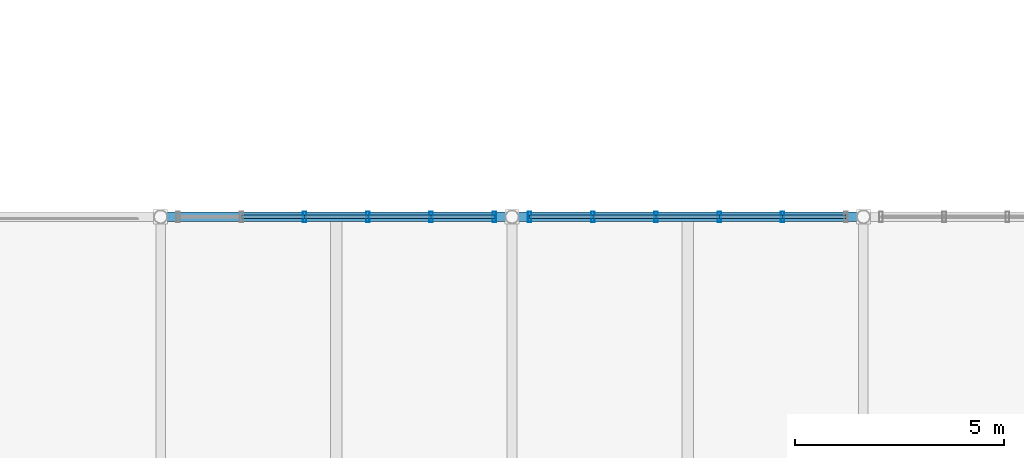
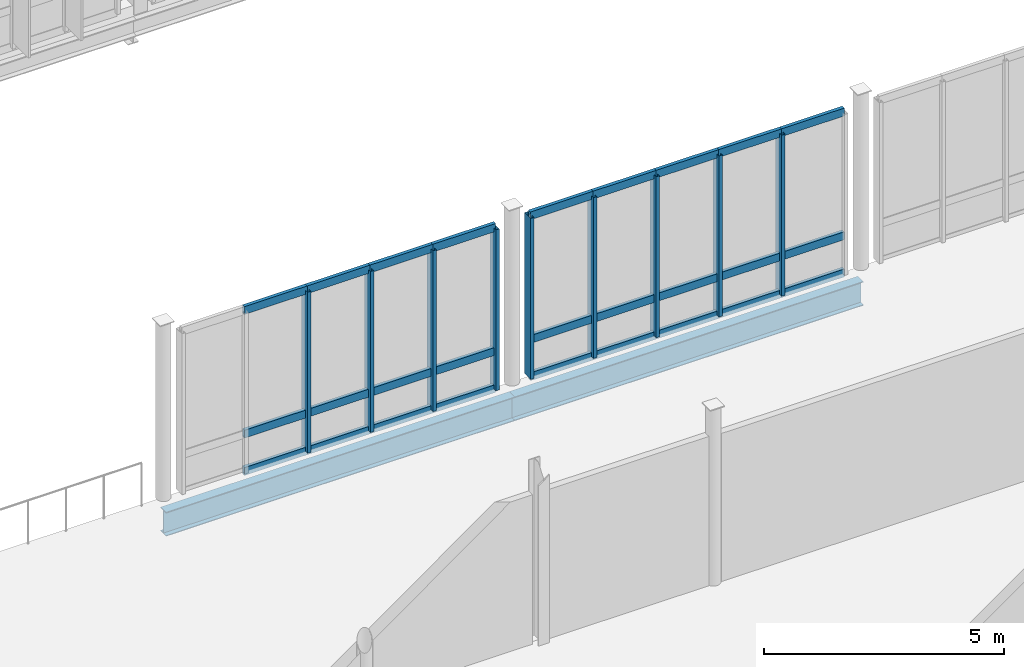
# One storey, part 37 of 139: 36 members, 2 beams, 2 elements without a shape of their own.
"""IFC4 building model written with IfcOpenShell, lengths in metres."""

from ifc_helpers import new_model, si_unit, derived_unit, direction, frame, origin, origin_2d, place, context, subcontext, project, spatial, hollow_rectangle, i_section, extrude, material, layer, layer_set, material_profile, profile_set, type_object, element, aggregate, save


model = new_model("IFC4")

# Units and contexts
model_context = context("Model", 3, precision=1e-05, world=origin(), true_north=direction((0.0, 1.0)))
body_context = subcontext(model_context, "Body", "Model", "MODEL_VIEW")
ifc_project = project(units=[si_unit("LENGTHUNIT", "METRE"), si_unit("AREAUNIT", "SQUARE_METRE"), si_unit("VOLUMEUNIT", "CUBIC_METRE"), si_unit("PLANEANGLEUNIT", "RADIAN"), si_unit("MASSUNIT", "GRAM", prefix="KILO"), derived_unit("THERMALTRANSMITTANCEUNIT", [(si_unit("MASSUNIT", "GRAM", prefix="KILO"), 1), (si_unit("TIMEUNIT", "SECOND"), -3), (si_unit("THERMODYNAMICTEMPERATUREUNIT", "KELVIN"), -1)])], contexts=[model_context])

# Site, building, storey
site_placement = place(None, origin())
site = spatial("IfcSite", under=ifc_project, at=site_placement, CompositionType="ELEMENT")
building_placement = place(site_placement, origin())
building = spatial("IfcBuilding", under=site, at=building_placement, Name="Makaiwela Harbour Ferry Terminal", CompositionType="ELEMENT")
storey_placement = place(building_placement, frame((0.0, 0.0, 5.10009765625)))
storey = spatial("IfcBuildingStorey", under=building, at=storey_placement, Name="L01", CompositionType="ELEMENT", Elevation=5.10009765625)

# Curtain wall, members
ifc_material_1 = material(Name="Marine anodised aluminium 6063-T6", Category="aluminium")
ifc_layer = layer(ifc_material_1, 0.199951171875)
ifc_layer_set = layer_set([ifc_layer], Name="Marine anodised aluminium 6063-T6")
curtain_wall_type = type_object("IfcCurtainWallType", Name="ENV-CW-08", PredefinedType="USERDEFINED", material=ifc_layer_set)
curtain_wall_1_placement = place(storey_placement, origin())
curtain_wall_1 = element("IfcCurtainWall", 1, at=curtain_wall_1_placement, inside=storey, type_object=curtain_wall_type, Name="Unitised Curtain Wall CWA-141", ObjectType="UNITIZED CURTAIN WALL", PredefinedType="USERDEFINED")
ifc_material_profile_1 = material_profile(ifc_material_1, hollow_rectangle(XDim=0.0849609375, YDim=0.25, WallThickness=0.0048828125, at=origin_2d()), Name="CWM-250X85")
ifc_profile_set_1 = profile_set([ifc_material_profile_1], Name="Marine anodised aluminium 6063-T6")
member_type_1 = type_object("IfcMemberType", Name="CW-MUL-250", PredefinedType="MULLION", material=ifc_profile_set_1)
member_1_placement = place(storey_placement, frame((87.780029296875, 33.60009765625, 0.0), z_axis=(0.0, 0.0, 1.0), x_axis=(1.0, 0.0, 0.0)))
member_1 = element("IfcMember", 2, at=member_1_placement, type_object=member_type_1, Name="Curtain Wall Mullion CWA-141-1", PredefinedType="MULLION", context=body_context, shape_type="SweptSolid", body=[
    extrude(hollow_rectangle(XDim=0.0849609375, YDim=0.25, WallThickness=0.0048828125, at=origin_2d()), origin(), (0.0, 0.0, 1.0), 4.099853515625),
])
member_2_placement = place(storey_placement, frame((86.26806640625, 33.60009765625, 0.0), z_axis=(0.0, 0.0, 1.0), x_axis=(1.0, 0.0, 0.0)))
member_2 = element("IfcMember", 3, at=member_2_placement, type_object=member_type_1, Name="Curtain Wall Mullion CWA-141-2", PredefinedType="MULLION", context=body_context, shape_type="SweptSolid", body=[
    extrude(hollow_rectangle(XDim=0.0849609375, YDim=0.25, WallThickness=0.0048828125, at=origin_2d()), origin(), (0.0, 0.0, 1.0), 4.099853515625),
])
member_3_placement = place(storey_placement, frame((84.756103515625, 33.60009765625, 0.0), z_axis=(0.0, 0.0, 1.0), x_axis=(1.0, 0.0, 0.0)))
member_3 = element("IfcMember", 4, at=member_3_placement, type_object=member_type_1, Name="Curtain Wall Mullion CWA-141-3", PredefinedType="MULLION", context=body_context, shape_type="SweptSolid", body=[
    extrude(hollow_rectangle(XDim=0.0849609375, YDim=0.25, WallThickness=0.0048828125, at=origin_2d()), origin(), (0.0, 0.0, 1.0), 4.099853515625),
])
member_4_placement = place(storey_placement, frame((83.243896484375, 33.60009765625, 0.0), z_axis=(0.0, 0.0, 1.0), x_axis=(1.0, 0.0, 0.0)))
member_4 = element("IfcMember", 5, at=member_4_placement, type_object=member_type_1, Name="Curtain Wall Mullion CWA-141-4", PredefinedType="MULLION", context=body_context, shape_type="SweptSolid", body=[
    extrude(hollow_rectangle(XDim=0.0849609375, YDim=0.25, WallThickness=0.0048828125, at=origin_2d()), origin(), (0.0, 0.0, 1.0), 4.099853515625),
])

curtain_wall_2_placement = place(storey_placement, origin())
curtain_wall_2 = element("IfcCurtainWall", 6, at=curtain_wall_2_placement, inside=storey, type_object=curtain_wall_type, Name="Unitised Curtain Wall CWA-143", ObjectType="UNITIZED CURTAIN WALL", PredefinedType="USERDEFINED")
member_5_placement = place(storey_placement, frame((94.66796875, 33.60009765625, 0.0), z_axis=(0.0, 0.0, 1.0), x_axis=(1.0, 0.0, 0.0)))
member_5 = element("IfcMember", 7, at=member_5_placement, type_object=member_type_1, Name="Curtain Wall Mullion CWA-143-2", PredefinedType="MULLION", context=body_context, shape_type="SweptSolid", body=[
    extrude(hollow_rectangle(XDim=0.0849609375, YDim=0.25, WallThickness=0.0048828125, at=origin_2d()), origin(), (0.0, 0.0, 1.0), 4.099853515625),
])
member_6_placement = place(storey_placement, frame((93.156005859375, 33.60009765625, 0.0), z_axis=(0.0, 0.0, 1.0), x_axis=(1.0, 0.0, 0.0)))
member_6 = element("IfcMember", 8, at=member_6_placement, type_object=member_type_1, Name="Curtain Wall Mullion CWA-143-3", PredefinedType="MULLION", context=body_context, shape_type="SweptSolid", body=[
    extrude(hollow_rectangle(XDim=0.0849609375, YDim=0.25, WallThickness=0.0048828125, at=origin_2d()), origin(), (0.0, 0.0, 1.0), 4.099853515625),
])
member_7_placement = place(storey_placement, frame((91.64404296875, 33.60009765625, 0.0), z_axis=(0.0, 0.0, 1.0), x_axis=(1.0, 0.0, 0.0)))
member_7 = element("IfcMember", 9, at=member_7_placement, type_object=member_type_1, Name="Curtain Wall Mullion CWA-143-4", PredefinedType="MULLION", context=body_context, shape_type="SweptSolid", body=[
    extrude(hollow_rectangle(XDim=0.0849609375, YDim=0.25, WallThickness=0.0048828125, at=origin_2d()), origin(), (0.0, 0.0, 1.0), 4.099853515625),
])
member_8_placement = place(storey_placement, frame((90.132080078125, 33.60009765625, 0.0), z_axis=(0.0, 0.0, 1.0), x_axis=(1.0, 0.0, 0.0)))
member_8 = element("IfcMember", 10, at=member_8_placement, type_object=member_type_1, Name="Curtain Wall Mullion CWA-143-5", PredefinedType="MULLION", context=body_context, shape_type="SweptSolid", body=[
    extrude(hollow_rectangle(XDim=0.0849609375, YDim=0.25, WallThickness=0.0048828125, at=origin_2d()), origin(), (0.0, 0.0, 1.0), 4.099853515625),
])
member_9_placement = place(storey_placement, frame((88.6201171875, 33.60009765625, 0.0), z_axis=(0.0, 0.0, 1.0), x_axis=(1.0, 0.0, 0.0)))
member_9 = element("IfcMember", 11, at=member_9_placement, type_object=member_type_1, Name="Curtain Wall Mullion CWA-143-6", PredefinedType="MULLION", context=body_context, shape_type="SweptSolid", body=[
    extrude(hollow_rectangle(XDim=0.0849609375, YDim=0.25, WallThickness=0.0048828125, at=origin_2d()), origin(), (0.0, 0.0, 1.0), 4.099853515625),
])

# Member
ifc_material_profile_2 = material_profile(ifc_material_1, hollow_rectangle(XDim=0.0849609375, YDim=0.199951171875, WallThickness=0.0048828125, at=origin_2d()), Name="CWT-200X85")
ifc_profile_set_2 = profile_set([ifc_material_profile_2], Name="Marine anodised aluminium 6063-T6")
member_type_2 = type_object("IfcMemberType", Name="CW-TRN-200", PredefinedType="USERDEFINED", material=ifc_profile_set_2)
member_10_placement = place(storey_placement, frame((87.780029296875, 33.60009765625, 0.0), z_axis=(-1.0, 0.0, 0.0), x_axis=(0.0, -1.0, 0.0)))
member_10 = element("IfcMember", 12, at=member_10_placement, type_object=member_type_2, Name="Curtain Wall Transom CWA-141-1-1", ObjectType="TRANSOM", PredefinedType="USERDEFINED", context=body_context, shape_type="SweptSolid", body=[
    extrude(hollow_rectangle(XDim=0.0849609375, YDim=0.199951171875, WallThickness=0.0048828125, at=origin_2d()), origin(), (0.0, 0.0, 1.0), 1.511962890625),
])

member_11_placement = place(storey_placement, frame((87.780029296875, 33.60009765625, 0.949951171875), z_axis=(-1.0, 0.0, 0.0), x_axis=(0.0, -1.0, 0.0)))
member_11 = element("IfcMember", 13, at=member_11_placement, type_object=member_type_2, Name="Curtain Wall Transom CWA-141-1-2", ObjectType="TRANSOM", PredefinedType="USERDEFINED", context=body_context, shape_type="SweptSolid", body=[
    extrude(hollow_rectangle(XDim=0.0849609375, YDim=0.199951171875, WallThickness=0.0048828125, at=origin_2d()), origin(), (0.0, 0.0, 1.0), 1.511962890625),
])

member_12_placement = place(storey_placement, frame((87.780029296875, 33.60009765625, 4.099853515625), z_axis=(-1.0, 0.0, 0.0), x_axis=(0.0, -1.0, 0.0)))
member_12 = element("IfcMember", 14, at=member_12_placement, type_object=member_type_2, Name="Curtain Wall Transom CWA-141-1-3", ObjectType="TRANSOM", PredefinedType="USERDEFINED", context=body_context, shape_type="SweptSolid", body=[
    extrude(hollow_rectangle(XDim=0.0849609375, YDim=0.199951171875, WallThickness=0.0048828125, at=origin_2d()), origin(), (0.0, 0.0, 1.0), 1.511962890625),
])

member_13_placement = place(storey_placement, frame((86.26806640625, 33.60009765625, 0.0), z_axis=(-1.0, 0.0, 0.0), x_axis=(0.0, -1.0, 0.0)))
member_13 = element("IfcMember", 15, at=member_13_placement, type_object=member_type_2, Name="Curtain Wall Transom CWA-141-2-1", ObjectType="TRANSOM", PredefinedType="USERDEFINED", context=body_context, shape_type="SweptSolid", body=[
    extrude(hollow_rectangle(XDim=0.0849609375, YDim=0.199951171875, WallThickness=0.0048828125, at=origin_2d()), origin(), (0.0, 0.0, 1.0), 1.511962890625),
])

member_14_placement = place(storey_placement, frame((86.26806640625, 33.60009765625, 0.949951171875), z_axis=(-1.0, 0.0, 0.0), x_axis=(0.0, -1.0, 0.0)))
member_14 = element("IfcMember", 16, at=member_14_placement, type_object=member_type_2, Name="Curtain Wall Transom CWA-141-2-2", ObjectType="TRANSOM", PredefinedType="USERDEFINED", context=body_context, shape_type="SweptSolid", body=[
    extrude(hollow_rectangle(XDim=0.0849609375, YDim=0.199951171875, WallThickness=0.0048828125, at=origin_2d()), origin(), (0.0, 0.0, 1.0), 1.511962890625),
])

member_15_placement = place(storey_placement, frame((86.26806640625, 33.60009765625, 4.099853515625), z_axis=(-1.0, 0.0, 0.0), x_axis=(0.0, -1.0, 0.0)))
member_15 = element("IfcMember", 17, at=member_15_placement, type_object=member_type_2, Name="Curtain Wall Transom CWA-141-2-3", ObjectType="TRANSOM", PredefinedType="USERDEFINED", context=body_context, shape_type="SweptSolid", body=[
    extrude(hollow_rectangle(XDim=0.0849609375, YDim=0.199951171875, WallThickness=0.0048828125, at=origin_2d()), origin(), (0.0, 0.0, 1.0), 1.511962890625),
])

member_16_placement = place(storey_placement, frame((84.756103515625, 33.60009765625, 0.0), z_axis=(-1.0, 0.0, 0.0), x_axis=(0.0, -1.0, 0.0)))
member_16 = element("IfcMember", 18, at=member_16_placement, type_object=member_type_2, Name="Curtain Wall Transom CWA-141-3-1", ObjectType="TRANSOM", PredefinedType="USERDEFINED", context=body_context, shape_type="SweptSolid", body=[
    extrude(hollow_rectangle(XDim=0.0849609375, YDim=0.199951171875, WallThickness=0.0048828125, at=origin_2d()), origin(), (0.0, 0.0, 1.0), 1.51220703125),
])

member_17_placement = place(storey_placement, frame((84.756103515625, 33.60009765625, 0.949951171875), z_axis=(-1.0, 0.0, 0.0), x_axis=(0.0, -1.0, 0.0)))
member_17 = element("IfcMember", 19, at=member_17_placement, type_object=member_type_2, Name="Curtain Wall Transom CWA-141-3-2", ObjectType="TRANSOM", PredefinedType="USERDEFINED", context=body_context, shape_type="SweptSolid", body=[
    extrude(hollow_rectangle(XDim=0.0849609375, YDim=0.199951171875, WallThickness=0.0048828125, at=origin_2d()), origin(), (0.0, 0.0, 1.0), 1.51220703125),
])

member_18_placement = place(storey_placement, frame((84.756103515625, 33.60009765625, 4.099853515625), z_axis=(-1.0, 0.0, 0.0), x_axis=(0.0, -1.0, 0.0)))
member_18 = element("IfcMember", 20, at=member_18_placement, type_object=member_type_2, Name="Curtain Wall Transom CWA-141-3-3", ObjectType="TRANSOM", PredefinedType="USERDEFINED", context=body_context, shape_type="SweptSolid", body=[
    extrude(hollow_rectangle(XDim=0.0849609375, YDim=0.199951171875, WallThickness=0.0048828125, at=origin_2d()), origin(), (0.0, 0.0, 1.0), 1.51220703125),
])

member_19_placement = place(storey_placement, frame((83.243896484375, 33.60009765625, 0.0), z_axis=(-1.0, 0.0, 0.0), x_axis=(0.0, -1.0, 0.0)))
member_19 = element("IfcMember", 21, at=member_19_placement, type_object=member_type_2, Name="Curtain Wall Transom CWA-141-4-1", ObjectType="TRANSOM", PredefinedType="USERDEFINED", context=body_context, shape_type="SweptSolid", body=[
    extrude(hollow_rectangle(XDim=0.0849609375, YDim=0.199951171875, WallThickness=0.0048828125, at=origin_2d()), origin(), (0.0, 0.0, 1.0), 1.511962890625),
])

member_20_placement = place(storey_placement, frame((83.243896484375, 33.60009765625, 0.949951171875), z_axis=(-1.0, 0.0, 0.0), x_axis=(0.0, -1.0, 0.0)))
member_20 = element("IfcMember", 22, at=member_20_placement, type_object=member_type_2, Name="Curtain Wall Transom CWA-141-4-2", ObjectType="TRANSOM", PredefinedType="USERDEFINED", context=body_context, shape_type="SweptSolid", body=[
    extrude(hollow_rectangle(XDim=0.0849609375, YDim=0.199951171875, WallThickness=0.0048828125, at=origin_2d()), origin(), (0.0, 0.0, 1.0), 1.511962890625),
])

member_21_placement = place(storey_placement, frame((83.243896484375, 33.60009765625, 4.099853515625), z_axis=(-1.0, 0.0, 0.0), x_axis=(0.0, -1.0, 0.0)))
member_21 = element("IfcMember", 23, at=member_21_placement, type_object=member_type_2, Name="Curtain Wall Transom CWA-141-4-3", ObjectType="TRANSOM", PredefinedType="USERDEFINED", context=body_context, shape_type="SweptSolid", body=[
    extrude(hollow_rectangle(XDim=0.0849609375, YDim=0.199951171875, WallThickness=0.0048828125, at=origin_2d()), origin(), (0.0, 0.0, 1.0), 1.511962890625),
])

aggregate(curtain_wall_1, [member_1, member_2, member_3, member_4, member_10, member_11, member_12, member_13, member_14, member_15, member_16, member_17, member_18, member_19, member_20, member_21])

member_22_placement = place(storey_placement, frame((96.179931640625, 33.60009765625, 0.0), z_axis=(-1.0, 0.0, 0.0), x_axis=(0.0, -1.0, 0.0)))
member_22 = element("IfcMember", 24, at=member_22_placement, type_object=member_type_2, Name="Curtain Wall Transom CWA-143-1-1", ObjectType="TRANSOM", PredefinedType="USERDEFINED", context=body_context, shape_type="SweptSolid", body=[
    extrude(hollow_rectangle(XDim=0.0849609375, YDim=0.199951171875, WallThickness=0.0048828125, at=origin_2d()), origin(), (0.0, 0.0, 1.0), 1.511962890625),
])

member_23_placement = place(storey_placement, frame((96.179931640625, 33.60009765625, 0.949951171875), z_axis=(-1.0, 0.0, 0.0), x_axis=(0.0, -1.0, 0.0)))
member_23 = element("IfcMember", 25, at=member_23_placement, type_object=member_type_2, Name="Curtain Wall Transom CWA-143-1-2", ObjectType="TRANSOM", PredefinedType="USERDEFINED", context=body_context, shape_type="SweptSolid", body=[
    extrude(hollow_rectangle(XDim=0.0849609375, YDim=0.199951171875, WallThickness=0.0048828125, at=origin_2d()), origin(), (0.0, 0.0, 1.0), 1.511962890625),
])

member_24_placement = place(storey_placement, frame((96.179931640625, 33.60009765625, 4.099853515625), z_axis=(-1.0, 0.0, 0.0), x_axis=(0.0, -1.0, 0.0)))
member_24 = element("IfcMember", 26, at=member_24_placement, type_object=member_type_2, Name="Curtain Wall Transom CWA-143-1-3", ObjectType="TRANSOM", PredefinedType="USERDEFINED", context=body_context, shape_type="SweptSolid", body=[
    extrude(hollow_rectangle(XDim=0.0849609375, YDim=0.199951171875, WallThickness=0.0048828125, at=origin_2d()), origin(), (0.0, 0.0, 1.0), 1.511962890625),
])

member_25_placement = place(storey_placement, frame((94.66796875, 33.60009765625, 0.0), z_axis=(-1.0, 0.0, 0.0), x_axis=(0.0, -1.0, 0.0)))
member_25 = element("IfcMember", 27, at=member_25_placement, type_object=member_type_2, Name="Curtain Wall Transom CWA-143-2-1", ObjectType="TRANSOM", PredefinedType="USERDEFINED", context=body_context, shape_type="SweptSolid", body=[
    extrude(hollow_rectangle(XDim=0.0849609375, YDim=0.199951171875, WallThickness=0.0048828125, at=origin_2d()), origin(), (0.0, 0.0, 1.0), 1.511962890625),
])

member_26_placement = place(storey_placement, frame((94.66796875, 33.60009765625, 0.949951171875), z_axis=(-1.0, 0.0, 0.0), x_axis=(0.0, -1.0, 0.0)))
member_26 = element("IfcMember", 28, at=member_26_placement, type_object=member_type_2, Name="Curtain Wall Transom CWA-143-2-2", ObjectType="TRANSOM", PredefinedType="USERDEFINED", context=body_context, shape_type="SweptSolid", body=[
    extrude(hollow_rectangle(XDim=0.0849609375, YDim=0.199951171875, WallThickness=0.0048828125, at=origin_2d()), origin(), (0.0, 0.0, 1.0), 1.511962890625),
])

member_27_placement = place(storey_placement, frame((94.66796875, 33.60009765625, 4.099853515625), z_axis=(-1.0, 0.0, 0.0), x_axis=(0.0, -1.0, 0.0)))
member_27 = element("IfcMember", 29, at=member_27_placement, type_object=member_type_2, Name="Curtain Wall Transom CWA-143-2-3", ObjectType="TRANSOM", PredefinedType="USERDEFINED", context=body_context, shape_type="SweptSolid", body=[
    extrude(hollow_rectangle(XDim=0.0849609375, YDim=0.199951171875, WallThickness=0.0048828125, at=origin_2d()), origin(), (0.0, 0.0, 1.0), 1.511962890625),
])

member_28_placement = place(storey_placement, frame((93.156005859375, 33.60009765625, 0.0), z_axis=(-1.0, 0.0, 0.0), x_axis=(0.0, -1.0, 0.0)))
member_28 = element("IfcMember", 30, at=member_28_placement, type_object=member_type_2, Name="Curtain Wall Transom CWA-143-3-1", ObjectType="TRANSOM", PredefinedType="USERDEFINED", context=body_context, shape_type="SweptSolid", body=[
    extrude(hollow_rectangle(XDim=0.0849609375, YDim=0.199951171875, WallThickness=0.0048828125, at=origin_2d()), origin(), (0.0, 0.0, 1.0), 1.511962890625),
])

member_29_placement = place(storey_placement, frame((93.156005859375, 33.60009765625, 0.949951171875), z_axis=(-1.0, 0.0, 0.0), x_axis=(0.0, -1.0, 0.0)))
member_29 = element("IfcMember", 31, at=member_29_placement, type_object=member_type_2, Name="Curtain Wall Transom CWA-143-3-2", ObjectType="TRANSOM", PredefinedType="USERDEFINED", context=body_context, shape_type="SweptSolid", body=[
    extrude(hollow_rectangle(XDim=0.0849609375, YDim=0.199951171875, WallThickness=0.0048828125, at=origin_2d()), origin(), (0.0, 0.0, 1.0), 1.511962890625),
])

member_30_placement = place(storey_placement, frame((93.156005859375, 33.60009765625, 4.099853515625), z_axis=(-1.0, 0.0, 0.0), x_axis=(0.0, -1.0, 0.0)))
member_30 = element("IfcMember", 32, at=member_30_placement, type_object=member_type_2, Name="Curtain Wall Transom CWA-143-3-3", ObjectType="TRANSOM", PredefinedType="USERDEFINED", context=body_context, shape_type="SweptSolid", body=[
    extrude(hollow_rectangle(XDim=0.0849609375, YDim=0.199951171875, WallThickness=0.0048828125, at=origin_2d()), origin(), (0.0, 0.0, 1.0), 1.511962890625),
])

member_31_placement = place(storey_placement, frame((91.64404296875, 33.60009765625, 0.0), z_axis=(-1.0, 0.0, 0.0), x_axis=(0.0, -1.0, 0.0)))
member_31 = element("IfcMember", 33, at=member_31_placement, type_object=member_type_2, Name="Curtain Wall Transom CWA-143-4-1", ObjectType="TRANSOM", PredefinedType="USERDEFINED", context=body_context, shape_type="SweptSolid", body=[
    extrude(hollow_rectangle(XDim=0.0849609375, YDim=0.199951171875, WallThickness=0.0048828125, at=origin_2d()), origin(), (0.0, 0.0, 1.0), 1.511962890625),
])

member_32_placement = place(storey_placement, frame((91.64404296875, 33.60009765625, 0.949951171875), z_axis=(-1.0, 0.0, 0.0), x_axis=(0.0, -1.0, 0.0)))
member_32 = element("IfcMember", 34, at=member_32_placement, type_object=member_type_2, Name="Curtain Wall Transom CWA-143-4-2", ObjectType="TRANSOM", PredefinedType="USERDEFINED", context=body_context, shape_type="SweptSolid", body=[
    extrude(hollow_rectangle(XDim=0.0849609375, YDim=0.199951171875, WallThickness=0.0048828125, at=origin_2d()), origin(), (0.0, 0.0, 1.0), 1.511962890625),
])

member_33_placement = place(storey_placement, frame((91.64404296875, 33.60009765625, 4.099853515625), z_axis=(-1.0, 0.0, 0.0), x_axis=(0.0, -1.0, 0.0)))
member_33 = element("IfcMember", 35, at=member_33_placement, type_object=member_type_2, Name="Curtain Wall Transom CWA-143-4-3", ObjectType="TRANSOM", PredefinedType="USERDEFINED", context=body_context, shape_type="SweptSolid", body=[
    extrude(hollow_rectangle(XDim=0.0849609375, YDim=0.199951171875, WallThickness=0.0048828125, at=origin_2d()), origin(), (0.0, 0.0, 1.0), 1.511962890625),
])

member_34_placement = place(storey_placement, frame((90.132080078125, 33.60009765625, 0.0), z_axis=(-1.0, 0.0, 0.0), x_axis=(0.0, -1.0, 0.0)))
member_34 = element("IfcMember", 36, at=member_34_placement, type_object=member_type_2, Name="Curtain Wall Transom CWA-143-5-1", ObjectType="TRANSOM", PredefinedType="USERDEFINED", context=body_context, shape_type="SweptSolid", body=[
    extrude(hollow_rectangle(XDim=0.0849609375, YDim=0.199951171875, WallThickness=0.0048828125, at=origin_2d()), origin(), (0.0, 0.0, 1.0), 1.511962890625),
])

member_35_placement = place(storey_placement, frame((90.132080078125, 33.60009765625, 0.949951171875), z_axis=(-1.0, 0.0, 0.0), x_axis=(0.0, -1.0, 0.0)))
member_35 = element("IfcMember", 37, at=member_35_placement, type_object=member_type_2, Name="Curtain Wall Transom CWA-143-5-2", ObjectType="TRANSOM", PredefinedType="USERDEFINED", context=body_context, shape_type="SweptSolid", body=[
    extrude(hollow_rectangle(XDim=0.0849609375, YDim=0.199951171875, WallThickness=0.0048828125, at=origin_2d()), origin(), (0.0, 0.0, 1.0), 1.511962890625),
])

member_36_placement = place(storey_placement, frame((90.132080078125, 33.60009765625, 4.099853515625), z_axis=(-1.0, 0.0, 0.0), x_axis=(0.0, -1.0, 0.0)))
member_36 = element("IfcMember", 38, at=member_36_placement, type_object=member_type_2, Name="Curtain Wall Transom CWA-143-5-3", ObjectType="TRANSOM", PredefinedType="USERDEFINED", context=body_context, shape_type="SweptSolid", body=[
    extrude(hollow_rectangle(XDim=0.0849609375, YDim=0.199951171875, WallThickness=0.0048828125, at=origin_2d()), origin(), (0.0, 0.0, 1.0), 1.511962890625),
])

aggregate(curtain_wall_2, [member_5, member_6, member_7, member_8, member_9, member_22, member_23, member_24, member_25, member_26, member_27, member_28, member_29, member_30, member_31, member_32, member_33, member_34, member_35, member_36])

# Beams
ifc_material_2 = material(Name="Steel ASTM A992 Grade 50", Category="steel")
ifc_material_profile_3 = material_profile(ifc_material_2, i_section(OverallWidth=0.22900390625, OverallDepth=0.612060546875, WebThickness=0.011962890625, FlangeThickness=0.01953125, at=origin_2d()), Name="W24X84")
ifc_profile_set_3 = profile_set([ifc_material_profile_3], Name="Steel ASTM A992 Grade 50")
beam_type = type_object("IfcBeamType", Name="STR-GRD-W24X84", PredefinedType="USERDEFINED", material=ifc_profile_set_3)
beam_1_placement = place(storey_placement, frame((79.800048828125, 33.60009765625, -0.6259765625), z_axis=(1.0, 0.0, 0.0), x_axis=(0.0, 1.0, 0.0)))
element("IfcBeam", 39, at=beam_1_placement, inside=storey, type_object=beam_type, Name="Primary X girder 785", ObjectType="GIRDER", PredefinedType="USERDEFINED", context=body_context, shape_type="SweptSolid", body=[
    extrude(i_section(OverallWidth=0.22900390625, OverallDepth=0.612060546875, WebThickness=0.011962890625, FlangeThickness=0.01953125, at=origin_2d()), origin(), (0.0, 0.0, 1.0), 8.39990234375),
])
beam_2_placement = place(storey_placement, frame((88.199951171875, 33.60009765625, -0.6259765625), z_axis=(1.0, 0.0, 0.0), x_axis=(0.0, 1.0, 0.0)))
element("IfcBeam", 40, at=beam_2_placement, inside=storey, type_object=beam_type, Name="Primary X girder 786", ObjectType="GIRDER", PredefinedType="USERDEFINED", context=body_context, shape_type="SweptSolid", body=[
    extrude(i_section(OverallWidth=0.22900390625, OverallDepth=0.612060546875, WebThickness=0.011962890625, FlangeThickness=0.01953125, at=origin_2d()), origin(), (0.0, 0.0, 1.0), 8.400146484375),
])

save(model, "model.ifc")
